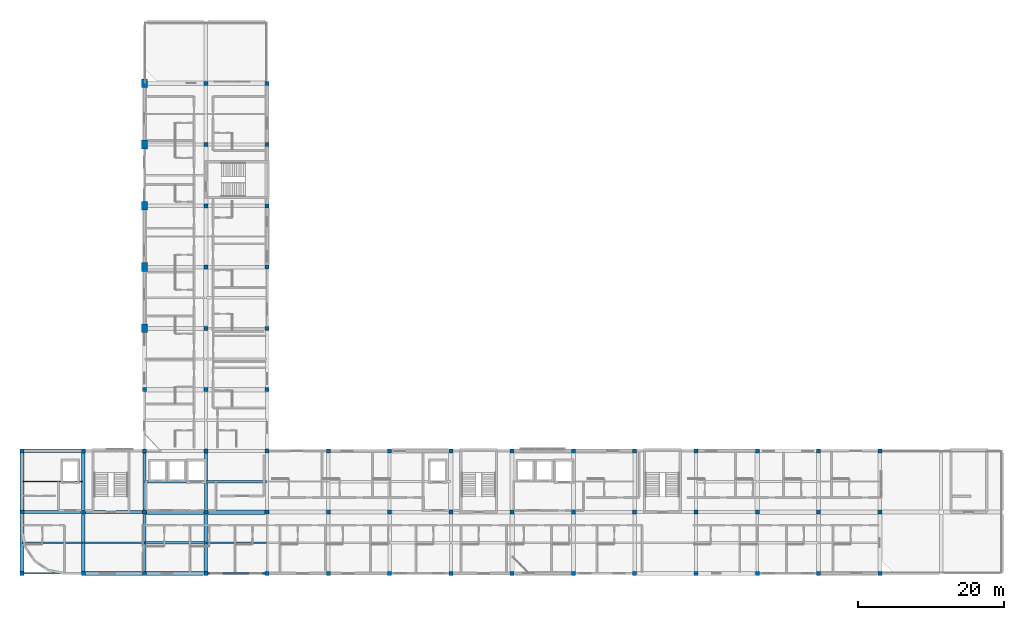
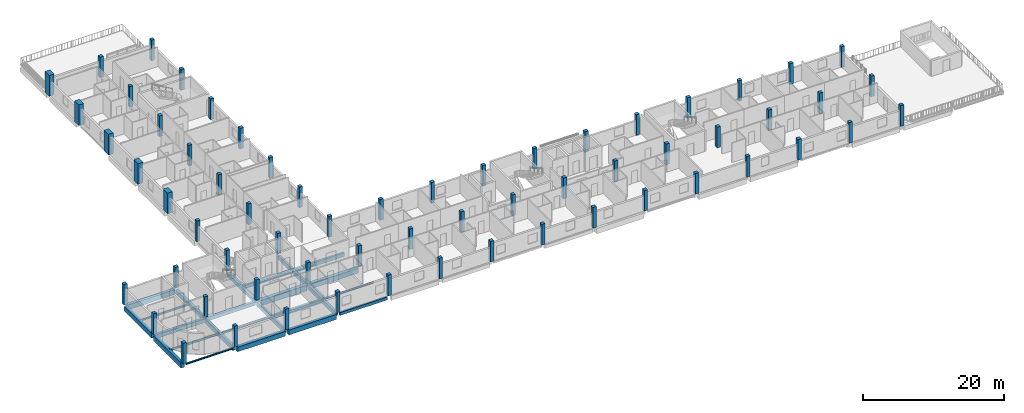
# One storey, part 1 of 26: 63 columns, 24 beams.
"""IFC4 building model written with IfcOpenShell, lengths in metres."""

from ifc_helpers import new_model, si_unit, derived_unit, direction, frame, origin, origin_2d, place, context, subcontext, project, spatial, rectangle, i_section, extrude, material, material_profile, profile_set, type_object, element, save


model = new_model("IFC4")

# Units and contexts
model_context = context("Model", 3, precision=1e-05, world=origin(), true_north=direction((0.0, 1.0)))
body_context = subcontext(model_context, "Body", "Model", "MODEL_VIEW")
ifc_project = project(units=[si_unit("LENGTHUNIT", "METRE"), si_unit("AREAUNIT", "SQUARE_METRE"), si_unit("VOLUMEUNIT", "CUBIC_METRE"), si_unit("PLANEANGLEUNIT", "RADIAN"), si_unit("MASSUNIT", "GRAM", prefix="KILO"), derived_unit("THERMALTRANSMITTANCEUNIT", [(si_unit("POWERUNIT", "WATT"), 1), (si_unit("LENGTHUNIT", "METRE"), -2), (si_unit("THERMODYNAMICTEMPERATUREUNIT", "KELVIN"), -1)])], contexts=[model_context])

# Site, building, storey
site_placement = place(None, origin())
site = spatial("IfcSite", under=ifc_project, at=site_placement, CompositionType="ELEMENT")
building_placement = place(site_placement, origin())
building = spatial("IfcBuilding", under=site, at=building_placement, Name="Barrovel Congress Hotel", CompositionType="ELEMENT")
storey_placement = place(building_placement, frame((0.0, 0.0, 32.699951171875)))
storey = spatial("IfcBuildingStorey", under=building, at=storey_placement, Name="L08", CompositionType="ELEMENT", Elevation=32.699951171875)

# Columns
ifc_material_1 = material(Name="Concrete C40", Category="concrete")
ifc_material_profile_1 = material_profile(ifc_material_1, rectangle(XDim=0.550048828125, YDim=0.550048828125, at=origin_2d()), Name="RC550x550")
ifc_profile_set_1 = profile_set([ifc_material_profile_1], Name="Concrete C40")
column_type_1 = type_object("IfcColumnType", Name="COL-RC550x550", PredefinedType="COLUMN", material=ifc_profile_set_1)
for number, where, z_axis, x_axis, name in (
    (1, (16.800048828125, 4.199951171875, 0.0), (0.0, 0.0, 1.0), (1.0, 0.0, 0.0), "COL:L08:16.8:4.2"),
    (2, (16.800048828125, 12.60009765625, 0.0), (0.0, 0.0, 1.0), (1.0, 0.0, 0.0), "COL:L08:16.8:12.6"),
    (3, (16.800048828125, 21.0, 0.0), (0.0, 0.0, 1.0), (1.0, 0.0, 0.0), "COL:L08:16.8:21.0"),
    (4, (25.199951171875, 4.199951171875, 0.0), (0.0, 0.0, 1.0), (1.0, 0.0, 0.0), "COL:L08:25.2:4.2"),
    (5, (25.199951171875, 12.60009765625, 0.0), (0.0, 0.0, 1.0), (1.0, 0.0, 0.0), "COL:L08:25.2:12.6"),
    (6, (25.199951171875, 21.0, 0.0), (0.0, 0.0, 1.0), (1.0, 0.0, 0.0), "COL:L08:25.2:21.0"),
    (7, (33.60009765625, 4.199951171875, 0.0), (0.0, 0.0, 1.0), (1.0, 0.0, 0.0), "COL:L08:33.6:4.2"),
    (8, (33.60009765625, 12.60009765625, 0.0), (0.0, 0.0, 1.0), (1.0, 0.0, 0.0), "COL:L08:33.6:12.6"),
    (9, (33.60009765625, 21.0, 0.0), (0.0, 0.0, 1.0), (1.0, 0.0, 0.0), "COL:L08:33.6:21.0"),
    (10, (33.60009765625, 29.39990234375, 0.0), (0.0, 0.0, 1.0), (1.0, 0.0, 0.0), "COL:L08:33.6:29.4"),
    (11, (42.0, 4.199951171875, 0.0), (0.0, 0.0, 1.0), (1.0, 0.0, 0.0), "COL:L08:42.0:4.2"),
    (12, (42.0, 12.60009765625, 0.0), (0.0, 0.0, 1.0), (1.0, 0.0, 0.0), "COL:L08:42.0:12.6"),
    (13, (42.0, 21.0, 0.0), (0.0, 0.0, 1.0), (1.0, 0.0, 0.0), "COL:L08:42.0:21.0"),
    (14, (42.0, 29.39990234375, 0.0), (0.0, 0.0, 1.0), (1.0, 0.0, 0.0), "COL:L08:42.0:29.4"),
    (15, (42.0, 37.800048828125, 0.0), (0.0, 0.0, 1.0), (1.0, 0.0, 0.0), "COL:L08:42.0:37.8"),
    (16, (42.0, 46.199951171875, 0.0), (0.0, 0.0, 1.0), (1.0, 0.0, 0.0), "COL:L08:42.0:46.2"),
    (17, (42.0, 54.60009765625, 0.0), (0.0, 0.0, 1.0), (1.0, 0.0, 0.0), "COL:L08:42.0:54.6"),
    (18, (42.0, 63.0, 0.0), (0.0, 0.0, 1.0), (1.0, 0.0, 0.0), "COL:L08:42.0:63.0"),
    (19, (42.0, 71.39990234375, 0.0), (0.0, 0.0, 1.0), (1.0, 0.0, 0.0), "COL:L08:42.0:71.4"),
    (20, (50.39990234375, 4.199951171875, 0.0), (0.0, 0.0, 1.0), (1.0, 0.0, 0.0), "COL:L08:50.4:4.2"),
    (21, (50.39990234375, 12.60009765625, 0.0), (0.0, 0.0, 1.0), (1.0, 0.0, 0.0), "COL:L08:50.4:12.6"),
    (22, (50.39990234375, 21.0, 0.0), (0.0, 0.0, 1.0), (1.0, 0.0, 0.0), "COL:L08:50.4:21.0"),
    (23, (50.39990234375, 29.39990234375, 0.0), (0.0, 0.0, 1.0), (1.0, 0.0, 0.0), "COL:L08:50.4:29.4"),
    (24, (50.39990234375, 37.800048828125, 0.0), (0.0, 0.0, 1.0), (1.0, 0.0, 0.0), "COL:L08:50.4:37.8"),
    (25, (50.39990234375, 46.199951171875, 0.0), (0.0, 0.0, 1.0), (1.0, 0.0, 0.0), "COL:L08:50.4:46.2"),
    (26, (50.39990234375, 54.60009765625, 0.0), (0.0, 0.0, 1.0), (1.0, 0.0, 0.0), "COL:L08:50.4:54.6"),
    (27, (50.39990234375, 63.0, 0.0), (0.0, 0.0, 1.0), (1.0, 0.0, 0.0), "COL:L08:50.4:63.0"),
    (28, (50.39990234375, 71.39990234375, 0.0), (0.0, 0.0, 1.0), (1.0, 0.0, 0.0), "COL:L08:50.4:71.4"),
    (29, (58.800048828125, 4.199951171875, 0.0), (0.0, 0.0, 1.0), (1.0, 0.0, 0.0), "COL:L08:58.8:4.2"),
    (30, (58.800048828125, 12.60009765625, 0.0), (0.0, 0.0, 1.0), (1.0, 0.0, 0.0), "COL:L08:58.8:12.6"),
    (31, (58.800048828125, 21.0, 0.0), (0.0, 0.0, 1.0), (1.0, 0.0, 0.0), "COL:L08:58.8:21.0"),
    (32, (67.199951171875, 4.199951171875, 0.0), (0.0, 0.0, 1.0), (1.0, 0.0, 0.0), "COL:L08:67.2:4.2"),
    (33, (67.199951171875, 12.60009765625, 0.0), (0.0, 0.0, 1.0), (1.0, 0.0, 0.0), "COL:L08:67.2:12.6"),
    (34, (67.199951171875, 21.0, 0.0), (0.0, 0.0, 1.0), (1.0, 0.0, 0.0), "COL:L08:67.2:21.0"),
    (35, (75.60009765625, 4.199951171875, 0.0), (0.0, 0.0, 1.0), (1.0, 0.0, 0.0), "COL:L08:75.6:4.2"),
    (36, (75.60009765625, 12.60009765625, 0.0), (0.0, 0.0, 1.0), (1.0, 0.0, 0.0), "COL:L08:75.6:12.6"),
    (37, (75.60009765625, 21.0, 0.0), (0.0, 0.0, 1.0), (1.0, 0.0, 0.0), "COL:L08:75.6:21.0"),
    (38, (84.0, 4.199951171875, 0.0), (0.0, 0.0, 1.0), (1.0, 0.0, 0.0), "COL:L08:84.0:4.2"),
    (39, (84.0, 12.60009765625, 0.0), (0.0, 0.0, 1.0), (1.0, 0.0, 0.0), "COL:L08:84.0:12.6"),
    (40, (84.0, 21.0, 0.0), (0.0, 0.0, 1.0), (1.0, 0.0, 0.0), "COL:L08:84.0:21.0"),
    (41, (92.39990234375, 4.199951171875, 0.0), (0.0, 0.0, 1.0), (1.0, 0.0, 0.0), "COL:L08:92.4:4.2"),
    (42, (92.39990234375, 12.60009765625, 0.0), (0.0, 0.0, 1.0), (1.0, 0.0, 0.0), "COL:L08:92.4:12.6"),
    (43, (92.39990234375, 21.0, 0.0), (0.0, 0.0, 1.0), (1.0, 0.0, 0.0), "COL:L08:92.4:21.0"),
    (44, (100.800048828125, 4.199951171875, 0.0), (0.0, 0.0, 1.0), (1.0, 0.0, 0.0), "COL:L08:100.8:4.2"),
    (45, (100.800048828125, 12.60009765625, 0.0), (0.0, 0.0, 1.0), (1.0, 0.0, 0.0), "COL:L08:100.8:12.6"),
    (46, (100.800048828125, 21.0, 0.0), (0.0, 0.0, 1.0), (1.0, 0.0, 0.0), "COL:L08:100.8:21.0"),
    (47, (109.199951171875, 4.199951171875, 0.0), (0.0, 0.0, 1.0), (1.0, 0.0, 0.0), "COL:L08:109.2:4.2"),
    (48, (109.199951171875, 12.60009765625, 0.0), (0.0, 0.0, 1.0), (1.0, 0.0, 0.0), "COL:L08:109.2:12.6"),
    (49, (109.199951171875, 21.0, 0.0), (0.0, 0.0, 1.0), (1.0, 0.0, 0.0), "COL:L08:109.2:21.0"),
    (50, (117.60009765625, 4.199951171875, 0.0), (0.0, 0.0, 1.0), (1.0, 0.0, 0.0), "COL:L08:117.6:4.2"),
    (51, (117.60009765625, 12.60009765625, 0.0), (0.0, 0.0, 1.0), (1.0, 0.0, 0.0), "COL:L08:117.6:12.6"),
    (52, (117.60009765625, 21.0, 0.0), (0.0, 0.0, 1.0), (1.0, 0.0, 0.0), "COL:L08:117.6:21.0"),
    (53, (126.0, 4.199951171875, 0.0), (0.0, 0.0, 1.0), (1.0, 0.0, 0.0), "COL:L08:126.0:4.2"),
    (54, (126.0, 12.60009765625, 0.0), (0.0, 0.0, 1.0), (1.0, 0.0, 0.0), "COL:L08:126.0:12.6"),
    (55, (126.0, 21.0, 0.0), (0.0, 0.0, 1.0), (1.0, 0.0, 0.0), "COL:L08:126.0:21.0"),
    (56, (134.39990234375, 4.199951171875, 0.0), (0.0, 0.0, 1.0), (1.0, 0.0, 0.0), "COL:L08:134.4:4.2"),
    (57, (134.39990234375, 12.60009765625, 0.0), (0.0, 0.0, 1.0), (1.0, 0.0, 0.0), "COL:L08:134.4:12.6"),
    (58, (134.39990234375, 21.0, 0.0), (0.0, 0.0, 1.0), (1.0, 0.0, 0.0), "COL:L08:134.4:21.0"),
):
    element("IfcColumn", number, at=place(storey_placement, frame(where, z_axis=z_axis, x_axis=x_axis)), inside=storey, type_object=column_type_1, Name=name, PredefinedType="COLUMN", context=body_context, shape_type="SweptSolid", body=[
        extrude(rectangle(XDim=0.550048828125, YDim=0.550048828125, at=origin_2d()), origin(), (0.0, 0.0, 1.0), 3.60009765625),
    ])
ifc_material_profile_2 = material_profile(ifc_material_1, rectangle(XDim=0.800048828125, YDim=1.199951171875, at=origin_2d()), Name="RC800x1200")
ifc_profile_set_2 = profile_set([ifc_material_profile_2], Name="Concrete C40")
column_type_2 = type_object("IfcColumnType", Name="COL-RC800x1200", PredefinedType="COLUMN", material=ifc_profile_set_2)
for number, where, z_axis, x_axis, name in (
    (59, (33.60009765625, 37.800048828125, 0.0), (0.0, 0.0, 1.0), (1.0, 0.0, 0.0), "COL:L08:33.6:37.8"),
    (60, (33.60009765625, 46.199951171875, 0.0), (0.0, 0.0, 1.0), (1.0, 0.0, 0.0), "COL:L08:33.6:46.2"),
    (61, (33.60009765625, 54.60009765625, 0.0), (0.0, 0.0, 1.0), (1.0, 0.0, 0.0), "COL:L08:33.6:54.6"),
    (62, (33.60009765625, 63.0, 0.0), (0.0, 0.0, 1.0), (1.0, 0.0, 0.0), "COL:L08:33.6:63.0"),
    (63, (33.60009765625, 71.39990234375, 0.0), (0.0, 0.0, 1.0), (1.0, 0.0, 0.0), "COL:L08:33.6:71.4"),
):
    element("IfcColumn", number, at=place(storey_placement, frame(where, z_axis=z_axis, x_axis=x_axis)), inside=storey, type_object=column_type_2, Name=name, PredefinedType="COLUMN", context=body_context, shape_type="SweptSolid", body=[
        extrude(rectangle(XDim=0.800048828125, YDim=1.199951171875, at=origin_2d()), origin(), (0.0, 0.0, 1.0), 3.60009765625),
    ])

# Beams
ifc_material_profile_3 = material_profile(ifc_material_1, rectangle(XDim=0.25, YDim=0.5, at=origin_2d()), Name="RC250x500")
ifc_profile_set_3 = profile_set([ifc_material_profile_3], Name="Concrete C40")
beam_type_1 = type_object("IfcBeamType", Name="BM-RC250x500", PredefinedType="SPANDREL", material=ifc_profile_set_3)
beam_1_placement = place(storey_placement, frame((42.300048828125, 4.199951171875, -0.469970703125), z_axis=(1.0, 0.0, 0.0), x_axis=(0.0, 1.0, 0.0)))
element("IfcBeam", 64, at=beam_1_placement, inside=storey, type_object=beam_type_1, Name="BMX:L08:4.2:42.0-50.4", PredefinedType="SPANDREL", context=body_context, shape_type="SweptSolid", body=[
    extrude(rectangle(XDim=0.25, YDim=0.5, at=origin_2d()), origin(), (0.0, 0.0, 1.0), 7.800048828125),
])
ifc_material_profile_4 = material_profile(ifc_material_1, rectangle(XDim=0.35009765625, YDim=0.550048828125, at=origin_2d()), Name="RC350x550")
ifc_profile_set_4 = profile_set([ifc_material_profile_4], Name="Concrete C40")
beam_type_2 = type_object("IfcBeamType", Name="BM-RC350x550", PredefinedType="JOIST", material=ifc_profile_set_4)
beam_2_placement = place(storey_placement, frame((33.679931640625, 16.800048828125, -0.494873046875), z_axis=(1.0, 0.0, 0.0), x_axis=(0.0, 1.0, 0.0)))
element("IfcBeam", 65, at=beam_2_placement, inside=storey, type_object=beam_type_2, Name="JST:L08:33.6:16.8", PredefinedType="JOIST", context=body_context, shape_type="SweptSolid", body=[
    extrude(rectangle(XDim=0.35009765625, YDim=0.550048828125, at=origin_2d()), origin(), (0.0, 0.0, 1.0), 8.239990234375),
])
ifc_material_profile_5 = material_profile(ifc_material_1, rectangle(XDim=0.35009765625, YDim=0.64990234375, at=origin_2d()), Name="RC350x650")
ifc_profile_set_5 = profile_set([ifc_material_profile_5], Name="Concrete C40")
beam_type_3 = type_object("IfcBeamType", Name="BM-RC350x650", PredefinedType="JOIST", material=ifc_profile_set_5)
for number, where, z_axis, x_axis, name in (
    (66, (33.679931640625, 8.39990234375, -0.544921875), (1.0, 0.0, 0.0), (0.0, 1.0, 0.0), "JST:L08:33.6:8.4"),
    (67, (42.080078125, 16.800048828125, -0.544921875), (1.0, 0.0, 0.0), (0.0, 1.0, 0.0), "JST:L08:42.0:16.8"),
):
    element("IfcBeam", number, at=place(storey_placement, frame(where, z_axis=z_axis, x_axis=x_axis)), inside=storey, type_object=beam_type_3, Name=name, PredefinedType="JOIST", context=body_context, shape_type="SweptSolid", body=[
        extrude(rectangle(XDim=0.35009765625, YDim=0.64990234375, at=origin_2d()), origin(), (0.0, 0.0, 1.0), 8.239990234375),
    ])
ifc_material_profile_6 = material_profile(ifc_material_1, rectangle(XDim=0.39990234375, YDim=0.60009765625, at=origin_2d()), Name="RC400x600")
ifc_profile_set_6 = profile_set([ifc_material_profile_6], Name="Concrete C40")
beam_type_4 = type_object("IfcBeamType", Name="BM-RC400x600", PredefinedType="BEAM", material=ifc_profile_set_6)
for number, where, z_axis, x_axis, name in (
    (68, (25.5, 12.60009765625, -0.52001953125), (1.0, 0.0, 0.0), (0.0, 1.0, 0.0), "BMX:L08:12.6:25.2-33.6"),
    (69, (33.60009765625, 12.89990234375, -0.52001953125), (0.0, 1.0, 0.0), (-1.0, 0.0, 0.0), "BMY:L08:33.6:12.6-21.0"),
):
    element("IfcBeam", number, at=place(storey_placement, frame(where, z_axis=z_axis, x_axis=x_axis)), inside=storey, type_object=beam_type_4, Name=name, PredefinedType="BEAM", context=body_context, shape_type="SweptSolid", body=[
        extrude(rectangle(XDim=0.39990234375, YDim=0.60009765625, at=origin_2d()), origin(), (0.0, 0.0, 1.0), 7.800048828125),
    ])
ifc_material_profile_7 = material_profile(ifc_material_1, rectangle(XDim=0.39990234375, YDim=0.699951171875, at=origin_2d()), Name="RC400x700")
ifc_profile_set_7 = profile_set([ifc_material_profile_7], Name="Concrete C40")
beam_type_5 = type_object("IfcBeamType", Name="BM-RC400x700", PredefinedType="BEAM", material=ifc_profile_set_7)
beam_3_placement = place(storey_placement, frame((17.10009765625, 12.60009765625, -0.570068359375), z_axis=(1.0, 0.0, 0.0), x_axis=(0.0, 1.0, 0.0)))
element("IfcBeam", 70, at=beam_3_placement, inside=storey, type_object=beam_type_5, Name="BMX:L08:12.6:16.8-25.2", PredefinedType="BEAM", context=body_context, shape_type="SweptSolid", body=[
    extrude(rectangle(XDim=0.39990234375, YDim=0.699951171875, at=origin_2d()), origin(), (0.0, 0.0, 1.0), 7.7998046875),
])
for number, where, z_axis, x_axis, name in (
    (71, (33.60009765625, 4.5, -0.570068359375), (0.0, 1.0, 0.0), (-1.0, 0.0, 0.0), "BMY:L08:33.6:4.2-12.6"),
    (72, (42.0, 12.89990234375, -0.570068359375), (0.0, 1.0, 0.0), (-1.0, 0.0, 0.0), "BMY:L08:42.0:12.6-21.0"),
):
    element("IfcBeam", number, at=place(storey_placement, frame(where, z_axis=z_axis, x_axis=x_axis)), inside=storey, type_object=beam_type_5, Name=name, PredefinedType="BEAM", context=body_context, shape_type="SweptSolid", body=[
        extrude(rectangle(XDim=0.39990234375, YDim=0.699951171875, at=origin_2d()), origin(), (0.0, 0.0, 1.0), 7.800048828125),
    ])
ifc_material_profile_8 = material_profile(ifc_material_1, rectangle(XDim=0.449951171875, YDim=0.64990234375, at=origin_2d()), Name="RC450x650")
ifc_profile_set_8 = profile_set([ifc_material_profile_8], Name="Concrete C40")
beam_type_6 = type_object("IfcBeamType", Name="BM-RC450x650", PredefinedType="BEAM", material=ifc_profile_set_8)
for number, where, z_axis, x_axis, name in (
    (73, (25.199951171875, 12.89990234375, -0.544921875), (0.0, 1.0, 0.0), (-1.0, 0.0, 0.0), "BMY:L08:25.2:12.6-21.0"),
    (74, (42.0, 4.5, -0.544921875), (0.0, 1.0, 0.0), (-1.0, 0.0, 0.0), "BMY:L08:42.0:4.2-12.6"),
):
    element("IfcBeam", number, at=place(storey_placement, frame(where, z_axis=z_axis, x_axis=x_axis)), inside=storey, type_object=beam_type_6, Name=name, PredefinedType="BEAM", context=body_context, shape_type="SweptSolid", body=[
        extrude(rectangle(XDim=0.449951171875, YDim=0.64990234375, at=origin_2d()), origin(), (0.0, 0.0, 1.0), 7.800048828125),
    ])
ifc_material_profile_9 = material_profile(ifc_material_1, rectangle(XDim=0.449951171875, YDim=0.75, at=origin_2d()), Name="RC450x750")
ifc_profile_set_9 = profile_set([ifc_material_profile_9], Name="Concrete C40")
beam_type_7 = type_object("IfcBeamType", Name="BM-RC450x750", PredefinedType="BEAM", material=ifc_profile_set_9)
beam_4_placement = place(storey_placement, frame((25.199951171875, 4.5, -0.594970703125), z_axis=(0.0, 1.0, 0.0), x_axis=(-1.0, 0.0, 0.0)))
element("IfcBeam", 75, at=beam_4_placement, inside=storey, type_object=beam_type_7, Name="BMY:L08:25.2:4.2-12.6", PredefinedType="BEAM", context=body_context, shape_type="SweptSolid", body=[
    extrude(rectangle(XDim=0.449951171875, YDim=0.75, at=origin_2d()), origin(), (0.0, 0.0, 1.0), 7.800048828125),
])
ifc_material_profile_10 = material_profile(ifc_material_1, rectangle(XDim=0.5, YDim=0.75, at=origin_2d()), Name="RC500x750")
ifc_profile_set_10 = profile_set([ifc_material_profile_10], Name="Concrete C40")
beam_type_8 = type_object("IfcBeamType", Name="BM-RC500x750", PredefinedType="BEAM", material=ifc_profile_set_10)
beam_5_placement = place(storey_placement, frame((16.800048828125, 12.89990234375, -0.594970703125), z_axis=(0.0, 1.0, 0.0), x_axis=(-1.0, 0.0, 0.0)))
element("IfcBeam", 76, at=beam_5_placement, inside=storey, type_object=beam_type_8, Name="BMY:L08:16.8:12.6-21.0", PredefinedType="BEAM", context=body_context, shape_type="SweptSolid", body=[
    extrude(rectangle(XDim=0.5, YDim=0.75, at=origin_2d()), origin(), (0.0, 0.0, 1.0), 7.800048828125),
])
ifc_material_profile_11 = material_profile(ifc_material_1, rectangle(XDim=0.5, YDim=0.85009765625, at=origin_2d()), Name="RC500x850")
ifc_profile_set_11 = profile_set([ifc_material_profile_11], Name="Concrete C40")
beam_type_9 = type_object("IfcBeamType", Name="BM-RC500x850", PredefinedType="BEAM", material=ifc_profile_set_11)
beam_6_placement = place(storey_placement, frame((33.89990234375, 4.199951171875, -0.64501953125), z_axis=(1.0, 0.0, 0.0), x_axis=(0.0, 1.0, 0.0)))
element("IfcBeam", 77, at=beam_6_placement, inside=storey, type_object=beam_type_9, Name="BMX:L08:4.2:33.6-42.0", PredefinedType="BEAM", context=body_context, shape_type="SweptSolid", body=[
    extrude(rectangle(XDim=0.5, YDim=0.85009765625, at=origin_2d()), origin(), (0.0, 0.0, 1.0), 7.800048828125),
])
beam_7_placement = place(storey_placement, frame((17.10009765625, 21.0, -0.64501953125), z_axis=(1.0, 0.0, 0.0), x_axis=(0.0, 1.0, 0.0)))
element("IfcBeam", 78, at=beam_7_placement, inside=storey, type_object=beam_type_9, Name="BMX:L08:21.0:16.8-25.2", PredefinedType="BEAM", context=body_context, shape_type="SweptSolid", body=[
    extrude(rectangle(XDim=0.5, YDim=0.85009765625, at=origin_2d()), origin(), (0.0, 0.0, 1.0), 7.7998046875),
])
beam_8_placement = place(storey_placement, frame((16.800048828125, 4.5, -0.64501953125), z_axis=(0.0, 1.0, 0.0), x_axis=(-1.0, 0.0, 0.0)))
element("IfcBeam", 79, at=beam_8_placement, inside=storey, type_object=beam_type_9, Name="BMY:L08:16.8:4.2-12.6", PredefinedType="BEAM", context=body_context, shape_type="SweptSolid", body=[
    extrude(rectangle(XDim=0.5, YDim=0.85009765625, at=origin_2d()), origin(), (0.0, 0.0, 1.0), 7.800048828125),
])
ifc_material_profile_12 = material_profile(ifc_material_1, rectangle(XDim=0.550048828125, YDim=0.800048828125, at=origin_2d()), Name="RC550x800")
ifc_profile_set_12 = profile_set([ifc_material_profile_12], Name="Concrete C40")
beam_type_10 = type_object("IfcBeamType", Name="BM-RC550x800", PredefinedType="BEAM", material=ifc_profile_set_12)
beam_9_placement = place(storey_placement, frame((25.5, 4.199951171875, -0.619873046875), z_axis=(1.0, 0.0, 0.0), x_axis=(0.0, 1.0, 0.0)))
element("IfcBeam", 80, at=beam_9_placement, inside=storey, type_object=beam_type_10, Name="BMX:L08:4.2:25.2-33.6", PredefinedType="BEAM", context=body_context, shape_type="SweptSolid", body=[
    extrude(rectangle(XDim=0.550048828125, YDim=0.800048828125, at=origin_2d()), origin(), (0.0, 0.0, 1.0), 7.800048828125),
])
ifc_material_profile_13 = material_profile(ifc_material_1, rectangle(XDim=0.60009765625, YDim=0.85009765625, at=origin_2d()), Name="RC600x850")
ifc_profile_set_13 = profile_set([ifc_material_profile_13], Name="Concrete C40")
beam_type_11 = type_object("IfcBeamType", Name="BM-RC600x850", PredefinedType="BEAM", material=ifc_profile_set_13)
beam_10_placement = place(storey_placement, frame((42.300048828125, 12.60009765625, -0.64501953125), z_axis=(1.0, 0.0, 0.0), x_axis=(0.0, 1.0, 0.0)))
element("IfcBeam", 81, at=beam_10_placement, inside=storey, type_object=beam_type_11, Name="BMX:L08:12.6:42.0-50.4", PredefinedType="BEAM", context=body_context, shape_type="SweptSolid", body=[
    extrude(rectangle(XDim=0.60009765625, YDim=0.85009765625, at=origin_2d()), origin(), (0.0, 0.0, 1.0), 7.800048828125),
])
ifc_material_profile_14 = material_profile(ifc_material_1, rectangle(XDim=0.60009765625, YDim=0.949951171875, at=origin_2d()), Name="RC600x950")
ifc_profile_set_14 = profile_set([ifc_material_profile_14], Name="Concrete C40")
beam_type_12 = type_object("IfcBeamType", Name="BM-RC600x950", PredefinedType="BEAM", material=ifc_profile_set_14)
beam_11_placement = place(storey_placement, frame((33.89990234375, 12.60009765625, -0.695068359375), z_axis=(1.0, 0.0, 0.0), x_axis=(0.0, 1.0, 0.0)))
element("IfcBeam", 82, at=beam_11_placement, inside=storey, type_object=beam_type_12, Name="BMX:L08:12.6:33.6-42.0", PredefinedType="BEAM", context=body_context, shape_type="SweptSolid", body=[
    extrude(rectangle(XDim=0.60009765625, YDim=0.949951171875, at=origin_2d()), origin(), (0.0, 0.0, 1.0), 7.800048828125),
])
ifc_material_2 = material(Name="Steel ASTM A992 Grade 50", Category="steel")
ifc_material_profile_15 = material_profile(ifc_material_2, i_section(OverallWidth=0.201904296875, OverallDepth=0.2470703125, WebThickness=0.00732421875, FlangeThickness=0.010986328125, FilletRadius=0.011962890625, at=origin_2d()), Name="W250x49")
ifc_profile_set_15 = profile_set([ifc_material_profile_15], Name="Steel ASTM A992 Grade 50")
beam_type_13 = type_object("IfcBeamType", Name="SBM-W250x49", PredefinedType="SPANDREL", material=ifc_profile_set_15)
beam_12_placement = place(storey_placement, frame((17.10009765625, 4.199951171875, -0.343505859375), z_axis=(1.0, 0.0, 0.0), x_axis=(0.0, 1.0, 0.0)))
element("IfcBeam", 83, at=beam_12_placement, inside=storey, type_object=beam_type_13, Name="BMX:L08:4.2:16.8-25.2", PredefinedType="SPANDREL", context=body_context, shape_type="SweptSolid", body=[
    extrude(i_section(OverallWidth=0.201904296875, OverallDepth=0.2470703125, WebThickness=0.00732421875, FlangeThickness=0.010986328125, FilletRadius=0.011962890625, at=origin_2d()), origin(), (0.0, 0.0, 1.0), 7.7998046875),
])
ifc_material_profile_16 = material_profile(ifc_material_2, i_section(OverallWidth=0.1650390625, OverallDepth=0.31005859375, WebThickness=0.005859375, FlangeThickness=0.009765625, FilletRadius=0.010986328125, at=origin_2d()), Name="W310x39")
ifc_profile_set_16 = profile_set([ifc_material_profile_16], Name="Steel ASTM A992 Grade 50")
beam_type_14 = type_object("IfcBeamType", Name="SBM-W310x39", PredefinedType="JOIST", material=ifc_profile_set_16)
for number, where, z_axis, x_axis, name in (
    (84, (25.280029296875, 8.39990234375, -0.375), (1.0, 0.0, 0.0), (0.0, 1.0, 0.0), "JST:L08:25.2:8.4"),
    (85, (42.080078125, 8.39990234375, -0.375), (1.0, 0.0, 0.0), (0.0, 1.0, 0.0), "JST:L08:42.0:8.4"),
):
    element("IfcBeam", number, at=place(storey_placement, frame(where, z_axis=z_axis, x_axis=x_axis)), inside=storey, type_object=beam_type_14, Name=name, PredefinedType="JOIST", context=body_context, shape_type="SweptSolid", body=[
        extrude(i_section(OverallWidth=0.1650390625, OverallDepth=0.31005859375, WebThickness=0.005859375, FlangeThickness=0.009765625, FilletRadius=0.010986328125, at=origin_2d()), origin(), (0.0, 0.0, 1.0), 8.239990234375),
    ])
ifc_material_profile_17 = material_profile(ifc_material_2, i_section(OverallWidth=0.1669921875, OverallDepth=0.31689453125, WebThickness=0.007568359375, FlangeThickness=0.01318359375, FilletRadius=0.010986328125, at=origin_2d()), Name="W310x52")
ifc_profile_set_17 = profile_set([ifc_material_profile_17], Name="Steel ASTM A992 Grade 50")
beam_type_15 = type_object("IfcBeamType", Name="SBM-W310x52", PredefinedType="JOIST", material=ifc_profile_set_17)
beam_13_placement = place(storey_placement, frame((16.8798828125, 16.800048828125, -0.37841796875), z_axis=(1.0, 0.0, 0.0), x_axis=(0.0, 1.0, 0.0)))
element("IfcBeam", 86, at=beam_13_placement, inside=storey, type_object=beam_type_15, Name="JST:L08:16.8:16.8", PredefinedType="JOIST", context=body_context, shape_type="SweptSolid", body=[
    extrude(i_section(OverallWidth=0.1669921875, OverallDepth=0.31689453125, WebThickness=0.007568359375, FlangeThickness=0.01318359375, FilletRadius=0.010986328125, at=origin_2d()), origin(), (0.0, 0.0, 1.0), 8.240234375),
])
ifc_material_profile_18 = material_profile(ifc_material_2, i_section(OverallWidth=0.1708984375, OverallDepth=0.35205078125, WebThickness=0.0068359375, FlangeThickness=0.009765625, FilletRadius=0.011962890625, at=origin_2d()), Name="W360x44")
ifc_profile_set_18 = profile_set([ifc_material_profile_18], Name="Steel ASTM A992 Grade 50")
beam_type_16 = type_object("IfcBeamType", Name="SBM-W360x44", PredefinedType="JOIST", material=ifc_profile_set_18)
beam_14_placement = place(storey_placement, frame((16.8798828125, 8.39990234375, -0.39599609375), z_axis=(1.0, 0.0, 0.0), x_axis=(0.0, 1.0, 0.0)))
element("IfcBeam", 87, at=beam_14_placement, inside=storey, type_object=beam_type_16, Name="JST:L08:16.8:8.4", PredefinedType="JOIST", context=body_context, shape_type="SweptSolid", body=[
    extrude(i_section(OverallWidth=0.1708984375, OverallDepth=0.35205078125, WebThickness=0.0068359375, FlangeThickness=0.009765625, FilletRadius=0.011962890625, at=origin_2d()), origin(), (0.0, 0.0, 1.0), 8.240234375),
])

save(model, "model.ifc")
